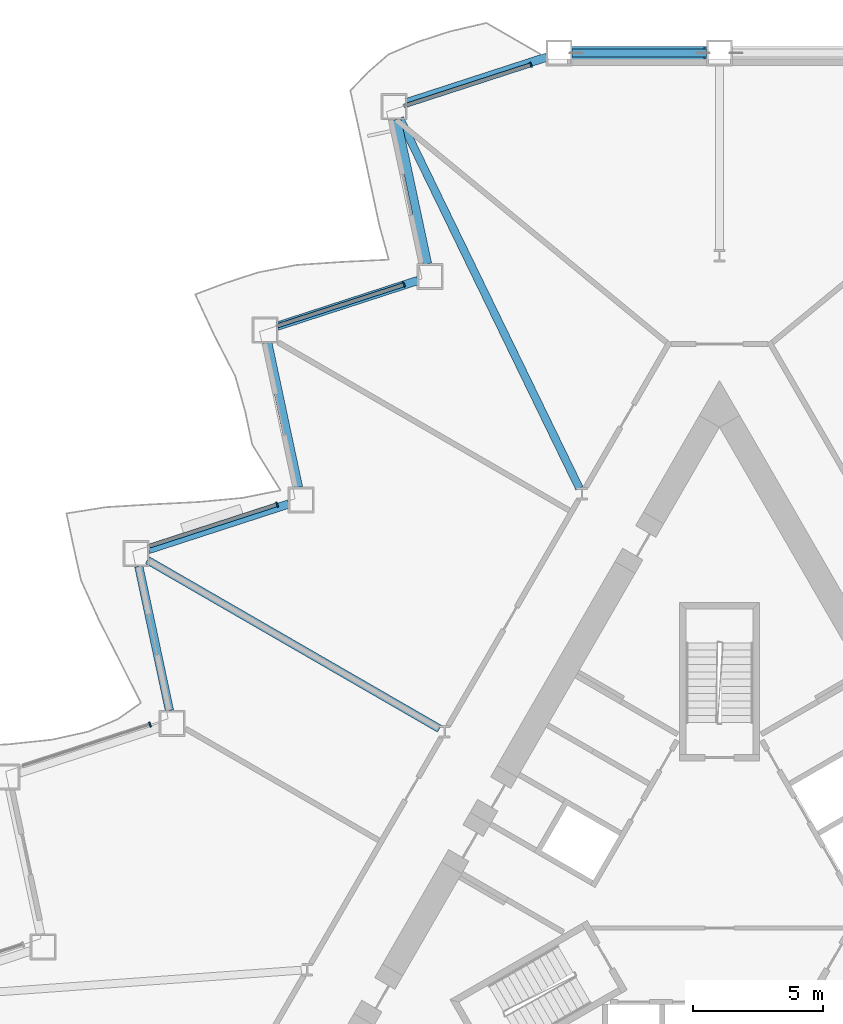
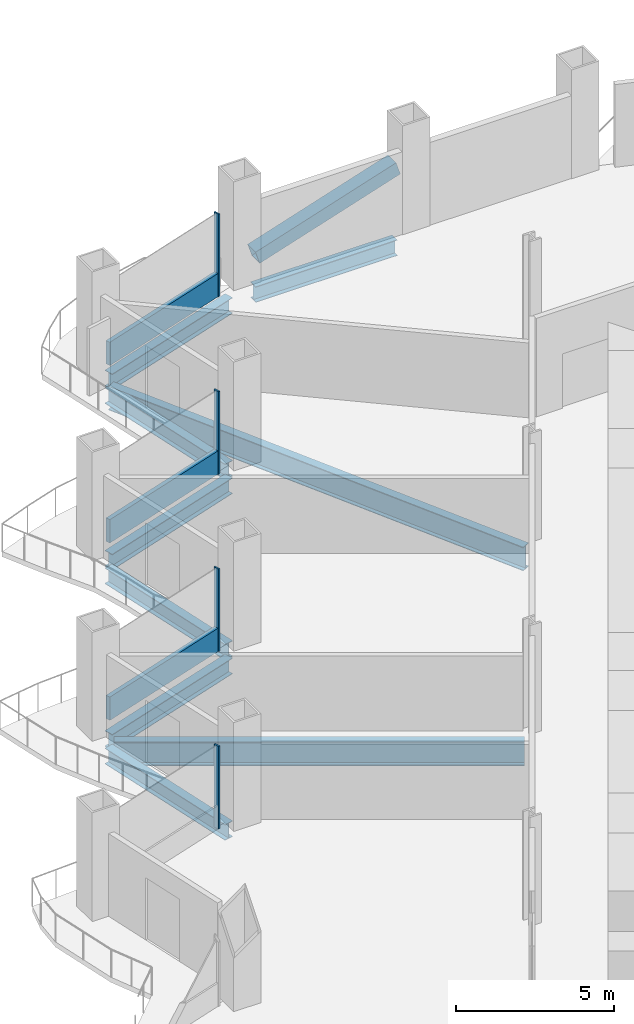
# One storey, part 6 of 20: 9 beams, 8 members, 4 elements without a shape of their own.
"""IFC4 building model written with IfcOpenShell, lengths in metres."""

from ifc_helpers import new_model, si_unit, direction, frame, origin, origin_2d, place, context, subcontext, project, spatial, rectangle, hollow_rectangle, i_section, extrude, material, layer, layer_set, material_profile, profile_set, type_object, element, aggregate, save


model = new_model("IFC4")

# Units and contexts
model_context = context("Model", 3, precision=1e-05, world=origin(), true_north=direction((0.0, 1.0)))
body_context = subcontext(model_context, "Body", "Model", "MODEL_VIEW")
ifc_project = project(units=[si_unit("LENGTHUNIT", "METRE"), si_unit("AREAUNIT", "SQUARE_METRE"), si_unit("VOLUMEUNIT", "CUBIC_METRE"), si_unit("PLANEANGLEUNIT", "RADIAN"), si_unit("MASSUNIT", "GRAM", prefix="KILO")], contexts=[model_context])

# Site, building, storey
site_placement = place(None, origin())
site = spatial("IfcSite", under=ifc_project, at=site_placement, CompositionType="ELEMENT")
building_placement = place(site_placement, origin())
building = spatial("IfcBuilding", under=site, at=building_placement, Name="Cormorant Prow Tower", CompositionType="ELEMENT")
storey_placement = place(building_placement, frame((0.0, 0.0, 59.39990234375)))
storey = spatial("IfcBuildingStorey", under=building, at=storey_placement, Name="L12", CompositionType="ELEMENT", Elevation=59.39990234375)

# Member
ifc_material_1 = material(Name="Structural steel ASTM A500 Gr C", Category="steel")
ifc_material_profile_1 = material_profile(ifc_material_1, hollow_rectangle(XDim=0.508056640625, YDim=0.508056640625, WallThickness=0.014892578125, at=origin_2d()), Name="HSS20x20x5/8")
ifc_profile_set_1 = profile_set([ifc_material_profile_1], Name="Structural steel ASTM A500 Gr C")
member_type_1 = type_object("IfcMemberType", Name="Chamfer brace HSS20x20x5/8", PredefinedType="BRACE", material=ifc_profile_set_1)
member_1_placement = place(storey_placement, frame((-5.65087890625, 32.233642578125, 0.767333984375), z_axis=(0.951761092368, 0.0, 0.306840061033), x_axis=(0.0, 1.0, 0.0)))
element("IfcMember", 1, at=member_1_placement, inside=storey, type_object=member_type_1, Name="Chamfer brace BR1 at N01 L12", PredefinedType="BRACE", context=body_context, shape_type="SweptSolid", body=[
    extrude(hollow_rectangle(XDim=0.508056640625, YDim=0.508056640625, WallThickness=0.014892578125, at=origin_2d()), origin(), (0.0, 0.0, 1.0), 5.39208984375),
])

# Curtain wall, member
ifc_material_2 = material(Name="Aluminium 6063-T6", Category="aluminium")
ifc_layer = layer(ifc_material_2, 0.199951171875)
ifc_layer_set = layer_set([ifc_layer], Name="Aluminium 6063-T6")
curtain_wall_type = type_object("IfcCurtainWallType", Name="Office unitised curtain wall 200", PredefinedType="NOTDEFINED", material=ifc_layer_set)
curtain_wall_1_placement = place(storey_placement, origin())
curtain_wall_1 = element("IfcCurtainWall", 2, at=curtain_wall_1_placement, inside=storey, type_object=curtain_wall_type, Name="Office curtain wall WNW00", PredefinedType="NOTDEFINED")
ifc_material_3 = material(Name="Aluminium 6063-T6", Category="aluminium")
ifc_material_profile_2 = material_profile(ifc_material_3, rectangle(XDim=0.199951171875, YDim=0.06005859375, at=origin_2d()), Name="Office mullion 60x200")
ifc_profile_set_2 = profile_set([ifc_material_profile_2], Name="Aluminium 6063-T6")
member_type_2 = type_object("IfcMemberType", Name="Office mullion 60x200", PredefinedType="MULLION", material=ifc_profile_set_2)
member_2_placement = place(storey_placement, frame((-7.25830078125, 31.78125, 0.0), z_axis=(0.0, 0.0, 1.0), x_axis=(0.309017079512, -0.951056488633, 0.0)))
member_2 = element("IfcMember", 3, at=member_2_placement, type_object=member_type_2, Name="Office mullion WNW00", PredefinedType="MULLION", context=body_context, shape_type="SweptSolid", body=[
    extrude(rectangle(XDim=0.199951171875, YDim=0.06005859375, at=origin_2d()), origin(), (0.0, 0.0, 1.0), 3.18896484375),
])

curtain_wall_2_placement = place(storey_placement, origin())
curtain_wall_2 = element("IfcCurtainWall", 4, at=curtain_wall_2_placement, inside=storey, type_object=curtain_wall_type, Name="Office curtain wall WNW02", PredefinedType="NOTDEFINED")
member_3_placement = place(storey_placement, frame((-12.14599609375, 23.315185546875, 0.0), z_axis=(0.0, 0.0, 1.0), x_axis=(0.309016897304, -0.951056547836, 0.0)))
member_3 = element("IfcMember", 5, at=member_3_placement, type_object=member_type_2, Name="Office mullion WNW02", PredefinedType="MULLION", context=body_context, shape_type="SweptSolid", body=[
    extrude(rectangle(XDim=0.199951171875, YDim=0.06005859375, at=origin_2d()), origin(), (0.0, 0.0, 1.0), 3.18896484375),
])

curtain_wall_3_placement = place(storey_placement, origin())
curtain_wall_3 = element("IfcCurtainWall", 6, at=curtain_wall_3_placement, inside=storey, type_object=curtain_wall_type, Name="Office curtain wall WNW04", PredefinedType="NOTDEFINED")
member_4_placement = place(storey_placement, frame((-17.03369140625, 14.849365234375, 0.0), z_axis=(0.0, 0.0, 1.0), x_axis=(0.309017079512, -0.951056488633, 0.0)))
member_4 = element("IfcMember", 7, at=member_4_placement, type_object=member_type_2, Name="Office mullion WNW04", PredefinedType="MULLION", context=body_context, shape_type="SweptSolid", body=[
    extrude(rectangle(XDim=0.199951171875, YDim=0.06005859375, at=origin_2d()), origin(), (0.0, 0.0, 1.0), 3.18896484375),
])

curtain_wall_4_placement = place(storey_placement, origin())
curtain_wall_4 = element("IfcCurtainWall", 8, at=curtain_wall_4_placement, inside=storey, type_object=curtain_wall_type, Name="Office curtain wall WNW06", PredefinedType="NOTDEFINED")
member_5_placement = place(storey_placement, frame((-21.921630859375, 6.383544921875, 0.0), z_axis=(0.0, 0.0, 1.0), x_axis=(0.309016941988, -0.951056533317, 0.0)))
member_5 = element("IfcMember", 9, at=member_5_placement, type_object=member_type_2, Name="Office mullion WNW06", PredefinedType="MULLION", context=body_context, shape_type="SweptSolid", body=[
    extrude(rectangle(XDim=0.199951171875, YDim=0.06005859375, at=origin_2d()), origin(), (0.0, 0.0, 1.0), 3.18896484375),
])
aggregate(curtain_wall_4, [member_5])

# Member
ifc_material_4 = material(Name="Terracotta", Category="masonry")
ifc_material_profile_3 = material_profile(ifc_material_4, rectangle(XDim=0.159912109375, YDim=0.89990234375, at=origin_2d()), Name="Office terracotta spandrel rail 160x900")
ifc_profile_set_3 = profile_set([ifc_material_profile_3], Name="Terracotta")
member_type_3 = type_object("IfcMemberType", Name="Office terracotta spandrel rail 160x900", PredefinedType="USERDEFINED", material=ifc_profile_set_3)
member_6_placement = place(storey_placement, frame((-7.286865234375, 31.77197265625, 0.4501953125), z_axis=(-0.951044599101, -0.309053669321, 0.0), x_axis=(0.309053669321, -0.951044599101, 0.0)))
member_6 = element("IfcMember", 10, at=member_6_placement, type_object=member_type_3, Name="Office spandrel rail WNW00", ObjectType="TRANSOM", PredefinedType="USERDEFINED", context=body_context, shape_type="SweptSolid", body=[
    extrude(rectangle(XDim=0.159912109375, YDim=0.89990234375, at=origin_2d()), origin(), (0.0, 0.0, 1.0), 5.111083984375),
])

aggregate(curtain_wall_1, [member_2, member_6])

member_7_placement = place(storey_placement, frame((-12.174560546875, 23.305908203125, 0.4501953125), z_axis=(-0.951063199163, -0.308996425865, 0.0), x_axis=(0.308996425865, -0.951063199163, 0.0)))
member_7 = element("IfcMember", 11, at=member_7_placement, type_object=member_type_3, Name="Office spandrel rail WNW02", ObjectType="TRANSOM", PredefinedType="USERDEFINED", context=body_context, shape_type="SweptSolid", body=[
    extrude(rectangle(XDim=0.159912109375, YDim=0.89990234375, at=origin_2d()), origin(), (0.0, 0.0, 1.0), 5.111328125),
])

aggregate(curtain_wall_2, [member_3, member_7])

member_8_placement = place(storey_placement, frame((-17.062255859375, 14.840087890625, 0.4501953125), z_axis=(-0.951063199163, -0.308996425865, 0.0), x_axis=(0.308996425865, -0.951063199163, 0.0)))
member_8 = element("IfcMember", 12, at=member_8_placement, type_object=member_type_3, Name="Office spandrel rail WNW04", ObjectType="TRANSOM", PredefinedType="USERDEFINED", context=body_context, shape_type="SweptSolid", body=[
    extrude(rectangle(XDim=0.159912109375, YDim=0.89990234375, at=origin_2d()), origin(), (0.0, 0.0, 1.0), 5.111328125),
])

aggregate(curtain_wall_3, [member_4, member_8])

# Beams
ifc_material_5 = material(Name="Structural steel ASTM A992 Gr 50", Category="steel")
ifc_material_profile_4 = material_profile(ifc_material_5, i_section(OverallWidth=0.3046875, OverallDepth=0.914794921875, WebThickness=0.0166015625, FlangeThickness=0.02587890625, at=origin_2d()), Name="W36x160")
ifc_profile_set_4 = profile_set([ifc_material_profile_4], Name="Structural steel ASTM A992 Gr 50")
beam_type_1 = type_object("IfcBeamType", Name="Radial floor beam W36x160", PredefinedType="BEAM", material=ifc_profile_set_4)
beam_1_placement = place(storey_placement, frame((-5.390625, 15.4775390625, -0.857177734375), z_axis=(-0.436839436813, 0.899539496879, 0.0), x_axis=(-0.899539496879, -0.436839436813, 0.0)))
element("IfcBeam", 13, at=beam_1_placement, inside=storey, type_object=beam_type_1, Name="Radial floor beam FB1 2 L12", PredefinedType="BEAM", context=body_context, shape_type="SweptSolid", body=[
    extrude(i_section(OverallWidth=0.3046875, OverallDepth=0.914794921875, WebThickness=0.0166015625, FlangeThickness=0.02587890625, at=origin_2d()), origin(), (0.0, 0.0, 1.0), 15.83203125),
])
beam_2_placement = place(storey_placement, frame((-10.779541015625, 6.2236328125, -0.857177734375), z_axis=(-0.866030278318, 0.499991556966, 0.0), x_axis=(-0.499991556966, -0.866030278318, 0.0)))
element("IfcBeam", 14, at=beam_2_placement, inside=storey, type_object=beam_type_1, Name="Radial floor beam FB1 3 L12", PredefinedType="BEAM", context=body_context, shape_type="SweptSolid", body=[
    extrude(i_section(OverallWidth=0.3046875, OverallDepth=0.914794921875, WebThickness=0.0166015625, FlangeThickness=0.02587890625, at=origin_2d()), origin(), (0.0, 0.0, 1.0), 12.984130859375),
])
ifc_material_6 = material(Name="Structural steel ASTM A992 Gr 50", Category="steel")
ifc_material_profile_5 = material_profile(ifc_material_6, i_section(OverallWidth=0.32373046875, OverallDepth=0.611083984375, WebThickness=0.0126953125, FlangeThickness=0.01904296875, at=origin_2d()), Name="W24x104")
ifc_profile_set_5 = profile_set([ifc_material_profile_5], Name="Structural steel ASTM A992 Gr 50")
beam_type_2 = type_object("IfcBeamType", Name="Spandrel beam W24x104", PredefinedType="SPANDREL", material=ifc_profile_set_5)
beam_3_placement = place(storey_placement, frame((-0.5, 32.233642578125, -0.70556640625), z_axis=(-1.0, 0.0, 0.0), x_axis=(0.0, -1.0, 0.0)))
element("IfcBeam", 15, at=beam_3_placement, inside=storey, type_object=beam_type_2, Name="Spandrel beam SB1 N01-WNW00 L12", PredefinedType="SPANDREL", context=body_context, shape_type="SweptSolid", body=[
    extrude(i_section(OverallWidth=0.32373046875, OverallDepth=0.611083984375, WebThickness=0.0126953125, FlangeThickness=0.01904296875, at=origin_2d()), origin(), (0.0, 0.0, 1.0), 5.169677734375),
])
beam_4_placement = place(storey_placement, frame((-6.645263671875, 32.0791015625, -0.70556640625), z_axis=(-0.951061849722, -0.309000579292, 0.0), x_axis=(0.309000579292, -0.951061849722, 0.0)))
element("IfcBeam", 16, at=beam_4_placement, inside=storey, type_object=beam_type_2, Name="Spandrel beam SB1 WNW00-WNW01 L12", PredefinedType="SPANDREL", context=body_context, shape_type="SweptSolid", body=[
    extrude(i_section(OverallWidth=0.32373046875, OverallDepth=0.611083984375, WebThickness=0.0126953125, FlangeThickness=0.01904296875, at=origin_2d()), origin(), (0.0, 0.0, 1.0), 5.682373046875),
])
beam_5_placement = place(storey_placement, frame((-12.421142578125, 29.6796875, -0.70556640625), z_axis=(0.207900376723, -0.97815000555, 0.0), x_axis=(0.97815000555, 0.207900376723, 0.0)))
element("IfcBeam", 17, at=beam_5_placement, inside=storey, type_object=beam_type_2, Name="Spandrel beam SB1 WNW01-WNW02 L12", PredefinedType="SPANDREL", context=body_context, shape_type="SweptSolid", body=[
    extrude(i_section(OverallWidth=0.32373046875, OverallDepth=0.611083984375, WebThickness=0.0126953125, FlangeThickness=0.01904296875, at=origin_2d()), origin(), (0.0, 0.0, 1.0), 5.6826171875),
])
beam_6_placement = place(storey_placement, frame((-11.611328125, 23.477783203125, -0.70556640625), z_axis=(-0.951049222751, -0.309039440696, 0.0), x_axis=(0.309039440696, -0.951049222751, 0.0)))
element("IfcBeam", 18, at=beam_6_placement, inside=storey, type_object=beam_type_2, Name="Spandrel beam SB1 WNW02-WNW03 L12", PredefinedType="SPANDREL", context=body_context, shape_type="SweptSolid", body=[
    extrude(i_section(OverallWidth=0.32373046875, OverallDepth=0.611083984375, WebThickness=0.0126953125, FlangeThickness=0.01904296875, at=origin_2d()), origin(), (0.0, 0.0, 1.0), 5.682373046875),
])
beam_7_placement = place(storey_placement, frame((-17.38720703125, 21.078125, -0.70556640625), z_axis=(0.207900376723, -0.97815000555, 0.0), x_axis=(0.97815000555, 0.207900376723, 0.0)))
element("IfcBeam", 19, at=beam_7_placement, inside=storey, type_object=beam_type_2, Name="Spandrel beam SB1 WNW03-WNW04 L12", PredefinedType="SPANDREL", context=body_context, shape_type="SweptSolid", body=[
    extrude(i_section(OverallWidth=0.32373046875, OverallDepth=0.611083984375, WebThickness=0.0126953125, FlangeThickness=0.01904296875, at=origin_2d()), origin(), (0.0, 0.0, 1.0), 5.6826171875),
])
beam_8_placement = place(storey_placement, frame((-16.577392578125, 14.876220703125, -0.70556640625), z_axis=(-0.951049222751, -0.309039440696, 0.0), x_axis=(0.309039440696, -0.951049222751, 0.0)))
element("IfcBeam", 20, at=beam_8_placement, inside=storey, type_object=beam_type_2, Name="Spandrel beam SB1 WNW04-WNW05 L12", PredefinedType="SPANDREL", context=body_context, shape_type="SweptSolid", body=[
    extrude(i_section(OverallWidth=0.32373046875, OverallDepth=0.611083984375, WebThickness=0.0126953125, FlangeThickness=0.01904296875, at=origin_2d()), origin(), (0.0, 0.0, 1.0), 5.682373046875),
])
beam_9_placement = place(storey_placement, frame((-22.353271484375, 12.4765625, -0.70556640625), z_axis=(0.207900376723, -0.97815000555, 0.0), x_axis=(0.97815000555, 0.207900376723, 0.0)))
element("IfcBeam", 21, at=beam_9_placement, inside=storey, type_object=beam_type_2, Name="Spandrel beam SB1 WNW05-WNW06 L12", PredefinedType="SPANDREL", context=body_context, shape_type="SweptSolid", body=[
    extrude(i_section(OverallWidth=0.32373046875, OverallDepth=0.611083984375, WebThickness=0.0126953125, FlangeThickness=0.01904296875, at=origin_2d()), origin(), (0.0, 0.0, 1.0), 5.6826171875),
])

save(model, "model.ifc")
